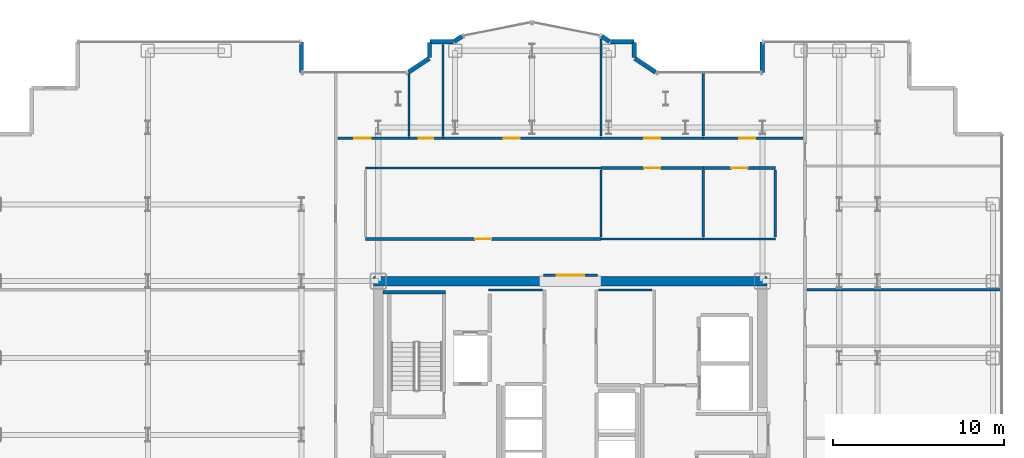
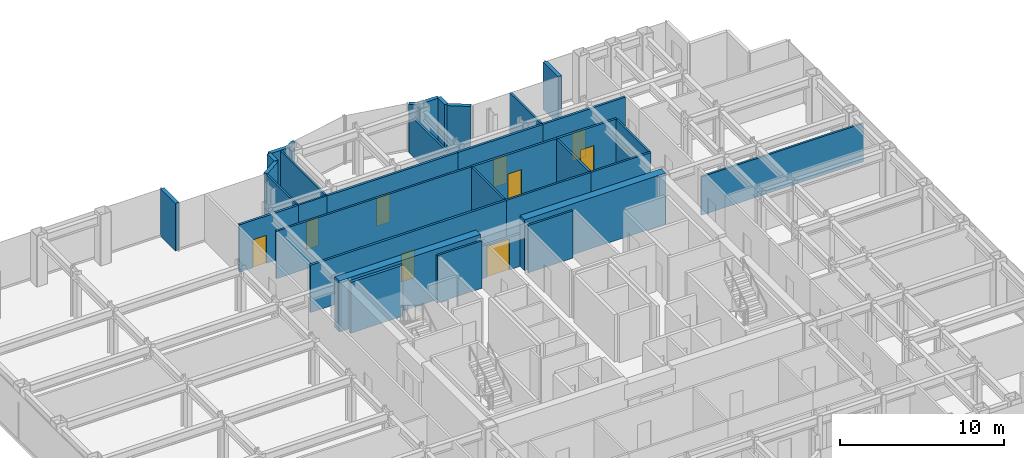
# One storey, part 21 of 23: 35 walls, 9 doors, 9 openings.
"""IFC4 building model written with IfcOpenShell, lengths in metres."""

from ifc_helpers import new_model, si_unit, direction, frame, frame_2d, origin, place, context, subcontext, project, spatial, rectangle, extrude, source, transform, mapped, material, layer, layer_set, type_object, element, fill, save


model = new_model("IFC4")

# Units and contexts
model_context = context("Model", 3, precision=1e-05, world=origin(), true_north=direction((0.0, 1.0)))
body_context = subcontext(model_context, "Body", "Model", "MODEL_VIEW")
ifc_project = project(units=[si_unit("LENGTHUNIT", "METRE"), si_unit("AREAUNIT", "SQUARE_METRE"), si_unit("VOLUMEUNIT", "CUBIC_METRE"), si_unit("PLANEANGLEUNIT", "RADIAN"), si_unit("MASSUNIT", "GRAM", prefix="KILO")], contexts=[model_context])

# Site, building, storey
site_placement = place(None, origin())
site = spatial("IfcSite", under=ifc_project, at=site_placement, CompositionType="ELEMENT")
building_placement = place(site_placement, origin())
building = spatial("IfcBuilding", under=site, at=building_placement, Name="Nefas-Gora Pilgrimage Tower", CompositionType="ELEMENT")
storey_placement = place(building_placement, frame((0.0, 0.0, 175.39990234375)))
storey = spatial("IfcBuildingStorey", under=building, at=storey_placement, Name="L43", CompositionType="ELEMENT", Elevation=175.39990234375)

# Walls
ifc_material_1 = material(Name="Concrete C60/75", Category="concrete")
ifc_layer_1 = layer(ifc_material_1, 0.550048828125)
ifc_layer_set_1 = layer_set([ifc_layer_1], Name="Concrete C60/75")
wall_type_1 = type_object("IfcWallType", Name="SW-CORE-550", PredefinedType="SHEAR", material=ifc_layer_set_1)
shared_shape_1 = source(origin(), body_context, "Body", "SweptSolid", [
    extrude(rectangle(XDim=9.974853515625, YDim=0.550048828125, at=frame_2d((4.9873046875, 0.0))), origin(), (0.0, 0.0, 1.0), 3.800048828125),
])
for number, where, z_axis, x_axis, name in (
    (1, (-11.52490234375, 9.0, 0.0), (0.0, 0.0, 1.0), (1.0, 0.0, 0.0), "L43 Core Shear Wall N-West"),
    (2, (1.550048828125, 9.0, 0.0), (0.0, 0.0, 1.0), (1.0, 0.0, 0.0), "L43 Core Shear Wall N-East"),
):
    element("IfcWall", number, at=place(storey_placement, frame(where, z_axis=z_axis, x_axis=x_axis)), inside=storey, type_object=wall_type_1, Name=name, PredefinedType="SHEAR", context=body_context, shape_type="MappedRepresentation", body=[
        mapped(shared_shape_1, transform((0.0, 0.0, 0.0), x_axis=(1.0, 0.0, 0.0), y_axis=(0.0, 1.0, 0.0), z_axis=(0.0, 0.0, 1.0), scale=1.0)),
    ])
ifc_material_2 = material(Name="Precast concrete C40/50", Category="concrete")
ifc_layer_2 = layer(ifc_material_2, 0.260009765625)
ifc_layer_set_2 = layer_set([ifc_layer_2], Name="Precast concrete C40/50")
wall_type_2 = type_object("IfcWallType", Name="EW-PORTAL-260", PredefinedType="SOLIDWALL", material=ifc_layer_set_2)
shared_shape_2 = source(origin(), body_context, "Body", "SweptSolid", [
    extrude(rectangle(XDim=1.800048828125, YDim=0.260009765625, at=frame_2d((0.89990234375, 0.0))), origin(), (0.0, 0.0, 1.0), 3.550048828125),
])
for number, where, z_axis, x_axis, name in (
    (3, (11.25, 23.02001953125, 0.0), (0.0, 0.0, 1.0), (0.0, -1.0, 0.0), "L43 Lobe Shoulder Precast Spandrel Pier 10"),
    (4, (-15.75, 21.219970703125, 0.0), (0.0, 0.0, 1.0), (0.0, 1.0, 0.0), "L43 Lobe Shoulder Precast Spandrel Pier 19"),
):
    element("IfcWall", number, at=place(storey_placement, frame(where, z_axis=z_axis, x_axis=x_axis)), inside=storey, type_object=wall_type_2, Name=name, PredefinedType="SOLIDWALL", context=body_context, shape_type="MappedRepresentation", body=[
        mapped(shared_shape_2, transform((0.0, 0.0, 0.0), x_axis=(1.0, 0.0, 0.0), y_axis=(0.0, 1.0, 0.0), z_axis=(0.0, 0.0, 1.0), scale=1.0)),
    ])
shared_shape_3 = source(origin(), body_context, "Body", "SweptSolid", [
    extrude(rectangle(XDim=1.468994140625, YDim=0.260009765625, at=frame_2d((0.734375, 0.0))), origin(), (0.0, 0.0, 1.0), 3.550048828125),
])
for number, where, z_axis, x_axis, name in (
    (5, (4.99462890625, 21.235595703125, 0.0), (0.0, 0.0, 1.0), (-0.831461760506, 0.555581983884, 0.0), "L43 Lobe Shoulder Precast Spandrel Pier 11"),
    (6, (-8.273193359375, 22.0517578125, 0.0), (0.0, 0.0, 1.0), (-0.831461760506, -0.555581983884, 0.0), "L43 Lobe Shoulder Precast Spandrel Pier 18"),
):
    element("IfcWall", number, at=place(storey_placement, frame(where, z_axis=z_axis, x_axis=x_axis)), inside=storey, type_object=wall_type_2, Name=name, PredefinedType="SOLIDWALL", context=body_context, shape_type="MappedRepresentation", body=[
        mapped(shared_shape_3, transform((0.0, 0.0, 0.0), x_axis=(1.0, 0.0, 0.0), y_axis=(0.0, 1.0, 0.0), z_axis=(0.0, 0.0, 1.0), scale=1.0)),
    ])
shared_shape_4 = source(origin(), body_context, "Body", "SweptSolid", [
    extrude(rectangle(XDim=0.896728515625, YDim=0.260009765625, at=frame_2d((0.4482421875, 0.0))), origin(), (0.0, 0.0, 1.0), 3.550048828125),
])
for number, where, z_axis, x_axis, name in (
    (7, (3.75, 22.09521484375, 0.0), (0.0, 0.0, 1.0), (0.0, 1.0, 0.0), "L43 Lobe Shoulder Precast Spandrel Pier 12"),
    (8, (-8.25, 22.991943359375, 0.0), (0.0, 0.0, 1.0), (0.0, -1.0, 0.0), "L43 Lobe Shoulder Precast Spandrel Pier 17"),
):
    element("IfcWall", number, at=place(storey_placement, frame(where, z_axis=z_axis, x_axis=x_axis)), inside=storey, type_object=wall_type_2, Name=name, PredefinedType="SOLIDWALL", context=body_context, shape_type="MappedRepresentation", body=[
        mapped(shared_shape_4, transform((0.0, 0.0, 0.0), x_axis=(1.0, 0.0, 0.0), y_axis=(0.0, 1.0, 0.0), z_axis=(0.0, 0.0, 1.0), scale=1.0)),
    ])
shared_shape_5 = source(origin(), body_context, "Body", "SweptSolid", [
    extrude(rectangle(XDim=1.369873046875, YDim=0.260009765625, at=frame_2d((0.68505859375, 0.0))), origin(), (0.0, 0.0, 1.0), 3.550048828125),
])
for number, where, z_axis, x_axis, name in (
    (9, (3.721923828125, 23.02001953125, 0.0), (0.0, 0.0, 1.0), (-1.0, 0.0, 0.0), "L43 Lobe Shoulder Precast Spandrel Pier 13"),
    (10, (-6.85205078125, 23.02001953125, 0.0), (0.0, 0.0, 1.0), (-1.0, 0.0, 0.0), "L43 Lobe Shoulder Precast Spandrel Pier 16"),
):
    element("IfcWall", number, at=place(storey_placement, frame(where, z_axis=z_axis, x_axis=x_axis)), inside=storey, type_object=wall_type_2, Name=name, PredefinedType="SOLIDWALL", context=body_context, shape_type="MappedRepresentation", body=[
        mapped(shared_shape_5, transform((0.0, 0.0, 0.0), x_axis=(1.0, 0.0, 0.0), y_axis=(0.0, 1.0, 0.0), z_axis=(0.0, 0.0, 1.0), scale=1.0)),
    ])
shared_shape_6 = source(origin(), body_context, "Body", "SweptSolid", [
    extrude(rectangle(XDim=0.5654296875, YDim=0.260009765625, at=frame_2d((0.28271484375, 0.0))), origin(), (0.0, 0.0, 1.0), 3.550048828125),
])
for number, where, z_axis, x_axis, name in (
    (11, (2.30078125, 23.03564453125, 0.0), (0.0, 0.0, 1.0), (-0.831651492666, 0.555297933317, 0.0), "L43 Lobe Shoulder Precast Spandrel Pier 14"),
    (12, (-6.33056640625, 23.349609375, 0.0), (0.0, 0.0, 1.0), (-0.831651492666, -0.555297933317, 0.0), "L43 Lobe Shoulder Precast Spandrel Pier 15"),
):
    element("IfcWall", number, at=place(storey_placement, frame(where, z_axis=z_axis, x_axis=x_axis)), inside=storey, type_object=wall_type_2, Name=name, PredefinedType="SOLIDWALL", context=body_context, shape_type="MappedRepresentation", body=[
        mapped(shared_shape_6, transform((0.0, 0.0, 0.0), x_axis=(1.0, 0.0, 0.0), y_axis=(0.0, 1.0, 0.0), z_axis=(0.0, 0.0, 1.0), scale=1.0)),
    ])
ifc_material_3 = material(Name="Concrete C45/55", Category="concrete")
ifc_layer_3 = layer(ifc_material_3, 0.199951171875)
ifc_layer_set_3 = layer_set([ifc_layer_3], Name="Concrete C45/55")
wall_type_3 = type_object("IfcWallType", Name="IW-STAIR-200", PredefinedType="SOLIDWALL", material=ifc_layer_set_3)
shared_shape_7 = source(origin(), body_context, "Body", "SweptSolid", [
    extrude(rectangle(XDim=3.679931640625, YDim=0.199951171875, at=frame_2d((1.83984375, 0.0))), origin(), (0.0, 0.0, 1.0), 3.800048828125),
])
wall_1_placement = place(storey_placement, frame((-7.300048828125, 8.35009765625, 0.0), z_axis=(0.0, 0.0, 1.0), x_axis=(-1.0, 0.0, 0.0)))
element("IfcWall", 13, at=wall_1_placement, inside=storey, type_object=wall_type_3, Name="L43 Stairwell Shear Wall ST-01-far", PredefinedType="SOLIDWALL", context=body_context, shape_type="MappedRepresentation", body=[
    mapped(shared_shape_7, transform((0.0, 0.0, 0.0), x_axis=(1.0, 0.0, 0.0), y_axis=(0.0, 1.0, 0.0), z_axis=(0.0, 0.0, 1.0), scale=1.0)),
])
ifc_material_4 = material(Name="Gypsum twin-stud partition")
ifc_layer_4 = layer(ifc_material_4, 0.139892578125)
ifc_layer_set_4 = layer_set([ifc_layer_4], Name="Gypsum twin-stud partition")
wall_type_4 = type_object("IfcWallType", Name="IW-UNIT-140", PredefinedType="PARTITIONING", material=ifc_layer_set_4)
shared_shape_8 = source(origin(), body_context, "Body", "SweptSolid", [
    extrude(rectangle(XDim=3.150146484375, YDim=0.139892578125, at=frame_2d((1.5751953125, 0.0))), origin(), (0.0, 0.0, 1.0), 3.53515625),
])
for number, where, z_axis, x_axis, name in (
    (14, (-4.7900390625, 8.47998046875, 0.0), (0.0, 0.0, 1.0), (1.0, 0.0, 0.0), "L43 Housekeeping and Linen Store Partition Wall 19"),
    (15, (1.639892578125, 8.47998046875, 0.0), (0.0, 0.0, 1.0), (1.0, 0.0, 0.0), "L43 Freed Bank-1 Amenity Supply Store Partition Wall 24"),
):
    element("IfcWall", number, at=place(storey_placement, frame(where, z_axis=z_axis, x_axis=x_axis)), inside=storey, type_object=wall_type_4, Name=name, PredefinedType="PARTITIONING", context=body_context, shape_type="MappedRepresentation", body=[
        mapped(shared_shape_8, transform((0.0, 0.0, 0.0), x_axis=(1.0, 0.0, 0.0), y_axis=(0.0, 1.0, 0.0), z_axis=(0.0, 0.0, 1.0), scale=1.0)),
    ])

# Wall, opening, door
ifc_material_5 = material(Name="Moisture-resistant fire-rated gypsum partition")
ifc_layer_5 = layer(ifc_material_5, 0.1201171875)
ifc_layer_set_5 = layer_set([ifc_layer_5], Name="Moisture-resistant fire-rated gypsum partition")
wall_type_5 = type_object("IfcWallType", Name="IW-WET-120", PredefinedType="PLUMBINGWALL", material=ifc_layer_set_5)
shared_shape_9 = source(origin(), body_context, "Body", "SweptSolid", [
    extrude(rectangle(XDim=2.02001953125, YDim=0.1201171875, at=frame_2d((1.010009765625, 0.0))), origin(), (0.0, 0.0, 1.0), 3.53515625),
])
wall_2_placement = place(storey_placement, frame((-9.4599609375, 17.3701171875, 0.0), z_axis=(0.0, 0.0, 1.0), x_axis=(1.0, 0.0, 0.0)))
wall_2 = element("IfcWall", 16, at=wall_2_placement, inside=storey, type_object=wall_type_5, Name="L43 Accessible Unisex WC Partition Wall 25", PredefinedType="PLUMBINGWALL", context=body_context, shape_type="MappedRepresentation", body=[
    mapped(shared_shape_9, transform((0.0, 0.0, 0.0), x_axis=(1.0, 0.0, 0.0), y_axis=(0.0, 1.0, 0.0), z_axis=(0.0, 0.0, 1.0), scale=1.0)),
])
opening_1_placement = place(wall_2_placement, frame((0.5849609375, 0.0, 0.0)))
opening_1 = element("IfcOpeningElement", 17, at=opening_1_placement, cuts=wall_2, Name="Opening ID-BT1", PredefinedType="OPENING", context=body_context, shape_type="SweptSolid", body=[
    extrude(rectangle(XDim=0.85009765625, YDim=2.10009765625, at=frame_2d((0.425048828125, 1.050048828125))), frame((0.0, 0.070068359375, 0.0), z_axis=(0.0, -1.0, 0.0), x_axis=(1.0, 0.0, 0.0)), (0.0, 0.0, 1.0), 0.14013671875),
])
ifc_material_6 = material(Name="Moisture-resistant fire-rated timber door", Category="wood")
door_type_1 = type_object("IfcDoorType", Name="DR-INT-BATH-850", OperationType="NOTDEFINED", PredefinedType="DOOR", material=ifc_material_6)
shared_shape_10 = source(origin(), body_context, "Body", "SweptSolid", [
    extrude(rectangle(XDim=0.85009765625, YDim=2.10009765625, at=frame_2d((0.425048828125, 1.050048828125))), frame((0.0, 0.02490234375, 0.0), z_axis=(0.0, -1.0, 0.0), x_axis=(1.0, 0.0, 0.0)), (0.0, 0.0, 1.0), 0.050048828125),
])
door_1_placement = place(opening_1_placement, origin())
door_1 = element("IfcDoor", 18, at=door_1_placement, inside=storey, type_object=door_type_1, Name="L43 Accessible Unisex WC Door 10", OperationType="SINGLE_SWING_LEFT", OverallHeight=2.10009765625, OverallWidth=0.85009765625, PredefinedType="DOOR", context=body_context, shape_type="MappedRepresentation", body=[
    mapped(shared_shape_10, transform((0.0, 0.0, 0.0), x_axis=(1.0, 0.0, 0.0), y_axis=(0.0, 1.0, 0.0), z_axis=(0.0, 0.0, 1.0), scale=1.0)),
])
fill(opening_1, door_1)

ifc_material_7 = material(Name="Gypsum acoustic stud partition")
ifc_layer_6 = layer(ifc_material_7, 0.159912109375)
ifc_layer_set_6 = layer_set([ifc_layer_6], Name="Gypsum acoustic stud partition")
wall_type_6 = type_object("IfcWallType", Name="IW-CORR-160", PredefinedType="PARTITIONING", material=ifc_layer_set_6)
shared_shape_11 = source(origin(), body_context, "Body", "SweptSolid", [
    extrude(rectangle(XDim=6.010009765625, YDim=0.159912109375, at=frame_2d((3.0048828125, 0.0))), origin(), (0.0, 0.0, 1.0), 3.53515625),
])
wall_3_placement = place(storey_placement, frame((1.794921875, 17.3701171875, 0.0), z_axis=(0.0, 0.0, 1.0), x_axis=(1.0, 0.0, 0.0)))
wall_3 = element("IfcWall", 19, at=wall_3_placement, inside=storey, type_object=wall_type_6, Name="L43 Pilgrim Contemplative Lounge Partition Wall 55", PredefinedType="PARTITIONING", context=body_context, shape_type="MappedRepresentation", body=[
    mapped(shared_shape_11, transform((0.0, 0.0, 0.0), x_axis=(1.0, 0.0, 0.0), y_axis=(0.0, 1.0, 0.0), z_axis=(0.0, 0.0, 1.0), scale=1.0)),
])
opening_2_placement = place(wall_3_placement, frame((2.530029296875, 0.0, 0.0)))
opening_2 = element("IfcOpeningElement", 20, at=opening_2_placement, cuts=wall_3, Name="Opening ID-GR1", PredefinedType="OPENING", context=body_context, shape_type="SweptSolid", body=[
    extrude(rectangle(XDim=0.949951171875, YDim=2.10009765625, at=frame_2d((0.47509765625, 1.050048828125))), frame((0.0, 0.08984375, 0.0), z_axis=(0.0, -1.0, 0.0), x_axis=(1.0, 0.0, 0.0)), (0.0, 0.0, 1.0), 0.179931640625),
])
ifc_material_8 = material(Name="Solid core oak fire-rated guest entrance door")
door_type_2 = type_object("IfcDoorType", Name="DR-INT-GUEST-950", OperationType="NOTDEFINED", PredefinedType="DOOR", material=ifc_material_8)
shared_shape_12 = source(origin(), body_context, "Body", "SweptSolid", [
    extrude(rectangle(XDim=0.949951171875, YDim=2.10009765625, at=frame_2d((0.47509765625, 1.050048828125))), frame((0.0, 0.02490234375, 0.0), z_axis=(0.0, -1.0, 0.0), x_axis=(1.0, 0.0, 0.0)), (0.0, 0.0, 1.0), 0.050048828125),
])
door_2_placement = place(opening_2_placement, origin())
door_2 = element("IfcDoor", 21, at=door_2_placement, inside=storey, type_object=door_type_2, Name="L43 Pilgrim Contemplative Lounge Door 25", OperationType="SINGLE_SWING_RIGHT", OverallHeight=2.10009765625, OverallWidth=0.949951171875, PredefinedType="DOOR", context=body_context, shape_type="MappedRepresentation", body=[
    mapped(shared_shape_12, transform((0.0, 0.0, 0.0), x_axis=(1.0, 0.0, 0.0), y_axis=(0.0, 1.0, 0.0), z_axis=(0.0, 0.0, 1.0), scale=1.0)),
])
fill(opening_2, door_2)

wall_4_placement = place(storey_placement, frame((1.794921875, 15.6298828125, 0.0), z_axis=(0.0, 0.0, 1.0), x_axis=(1.0, 0.0, 0.0)))
wall_4 = element("IfcWall", 22, at=wall_4_placement, inside=storey, type_object=wall_type_6, Name="L43 Pilgrim Contemplative Lounge Partition Wall 57", PredefinedType="PARTITIONING", context=body_context, shape_type="MappedRepresentation", body=[
    mapped(shared_shape_11, transform((0.0, 0.0, 0.0), x_axis=(1.0, 0.0, 0.0), y_axis=(0.0, 1.0, 0.0), z_axis=(0.0, 0.0, 1.0), scale=1.0)),
])
opening_3_placement = place(wall_4_placement, frame((2.530029296875, 0.0, 0.0)))
opening_3 = element("IfcOpeningElement", 23, at=opening_3_placement, cuts=wall_4, Name="Opening ID-GR1", PredefinedType="OPENING", context=body_context, shape_type="SweptSolid", body=[
    extrude(rectangle(XDim=0.949951171875, YDim=2.10009765625, at=frame_2d((0.47509765625, 1.050048828125))), frame((0.0, 0.08984375, 0.0), z_axis=(0.0, -1.0, 0.0), x_axis=(1.0, 0.0, 0.0)), (0.0, 0.0, 1.0), 0.179931640625),
])
door_3_placement = place(opening_3_placement, origin())
door_3 = element("IfcDoor", 24, at=door_3_placement, inside=storey, type_object=door_type_2, Name="L43 Pilgrim Contemplative Lounge Door 26", OperationType="SINGLE_SWING_LEFT", OverallHeight=2.10009765625, OverallWidth=0.949951171875, PredefinedType="DOOR", context=body_context, shape_type="MappedRepresentation", body=[
    mapped(shared_shape_12, transform((0.0, 0.0, 0.0), x_axis=(1.0, 0.0, 0.0), y_axis=(0.0, 1.0, 0.0), z_axis=(0.0, 0.0, 1.0), scale=1.0)),
])
fill(opening_3, door_3)

shared_shape_13 = source(origin(), body_context, "Body", "SweptSolid", [
    extrude(rectangle(XDim=5.8251953125, YDim=0.159912109375, at=frame_2d((2.91259765625, 0.0))), origin(), (0.0, 0.0, 1.0), 3.53515625),
])
wall_5_placement = place(storey_placement, frame((7.794921875, 17.3701171875, 0.0), z_axis=(0.0, 0.0, 1.0), x_axis=(1.0, 0.0, 0.0)))
wall_5 = element("IfcWall", 25, at=wall_5_placement, inside=storey, type_object=wall_type_6, Name="L43 Pilgrim Contemplative Lounge Partition Wall 60", PredefinedType="PARTITIONING", context=body_context, shape_type="MappedRepresentation", body=[
    mapped(shared_shape_13, transform((0.0, 0.0, 0.0), x_axis=(1.0, 0.0, 0.0), y_axis=(0.0, 1.0, 0.0), z_axis=(0.0, 0.0, 1.0), scale=1.0)),
])
opening_4_placement = place(wall_5_placement, frame((2.09228515625, 0.0, 0.0)))
opening_4 = element("IfcOpeningElement", 26, at=opening_4_placement, cuts=wall_5, Name="Opening ID-GR1", PredefinedType="OPENING", context=body_context, shape_type="SweptSolid", body=[
    extrude(rectangle(XDim=0.949951171875, YDim=2.10009765625, at=frame_2d((0.47509765625, 1.050048828125))), frame((0.0, 0.08984375, 0.0), z_axis=(0.0, -1.0, 0.0), x_axis=(1.0, 0.0, 0.0)), (0.0, 0.0, 1.0), 0.179931640625),
])
door_4_placement = place(opening_4_placement, origin())
door_4 = element("IfcDoor", 27, at=door_4_placement, inside=storey, type_object=door_type_2, Name="L43 Pilgrim Contemplative Lounge Door 27", OperationType="SINGLE_SWING_RIGHT", OverallHeight=2.10009765625, OverallWidth=0.949951171875, PredefinedType="DOOR", context=body_context, shape_type="MappedRepresentation", body=[
    mapped(shared_shape_12, transform((0.0, 0.0, 0.0), x_axis=(1.0, 0.0, 0.0), y_axis=(0.0, 1.0, 0.0), z_axis=(0.0, 0.0, 1.0), scale=1.0)),
])
fill(opening_4, door_4)

shared_shape_14 = source(origin(), body_context, "Body", "SweptSolid", [
    extrude(rectangle(XDim=3.16015625, YDim=0.159912109375, at=frame_2d((1.580078125, 0.0))), origin(), (0.0, 0.0, 1.0), 2.425048828125),
])
wall_6_placement = place(storey_placement, frame((-1.580078125, 9.35009765625, 0.0), z_axis=(0.0, 0.0, 1.0), x_axis=(1.0, 0.0, 0.0)))
wall_6 = element("IfcWall", 28, at=wall_6_placement, inside=storey, type_object=wall_type_6, Name="L43 Central Lift Lobby North Portal Wall 15", PredefinedType="PARTITIONING", context=body_context, shape_type="MappedRepresentation", body=[
    mapped(shared_shape_14, transform((0.0, 0.0, 0.0), x_axis=(1.0, 0.0, 0.0), y_axis=(0.0, 1.0, 0.0), z_axis=(0.0, 0.0, 1.0), scale=1.0)),
])
opening_5_placement = place(wall_6_placement, frame((0.780029296875, 0.0, 0.0)))
opening_5 = element("IfcOpeningElement", 29, at=opening_5_placement, cuts=wall_6, Name="Opening ID-HL1", PredefinedType="OPENING", context=body_context, shape_type="SweptSolid", body=[
    extrude(rectangle(XDim=1.60009765625, YDim=2.300048828125, at=frame_2d((0.800048828125, 1.14990234375))), frame((0.0, 0.08984375, 0.0), z_axis=(0.0, -1.0, 0.0), x_axis=(1.0, 0.0, 0.0)), (0.0, 0.0, 1.0), 0.179931640625),
])
ifc_material_9 = material(Name="Double acoustic timber assembly hall door", Category="wood")
door_type_3 = type_object("IfcDoorType", Name="DR-INT-HALL-1600", OperationType="DOUBLE_DOOR_SINGLE_SWING", PredefinedType="DOOR", material=ifc_material_9)
shared_shape_15 = source(origin(), body_context, "Body", "SweptSolid", [
    extrude(rectangle(XDim=1.60009765625, YDim=2.300048828125, at=frame_2d((0.800048828125, 1.14990234375))), frame((0.0, 0.02490234375, 0.0), z_axis=(0.0, -1.0, 0.0), x_axis=(1.0, 0.0, 0.0)), (0.0, 0.0, 1.0), 0.050048828125),
])
door_5_placement = place(opening_5_placement, origin())
door_5 = element("IfcDoor", 30, at=door_5_placement, inside=storey, type_object=door_type_3, Name="L43 Central Lift Lobby North Portal Door 5", OperationType="DOUBLE_DOOR_SINGLE_SWING", OverallHeight=2.300048828125, OverallWidth=1.60009765625, PredefinedType="DOOR", context=body_context, shape_type="MappedRepresentation", body=[
    mapped(shared_shape_15, transform((0.0, 0.0, 0.0), x_axis=(1.0, 0.0, 0.0), y_axis=(0.0, 1.0, 0.0), z_axis=(0.0, 0.0, 1.0), scale=1.0)),
])
fill(opening_5, door_5)

# Walls
shared_shape_16 = source(origin(), body_context, "Body", "SweptSolid", [
    extrude(rectangle(XDim=11.429931640625, YDim=0.139892578125, at=frame_2d((5.71484375, 0.0))), origin(), (0.0, 0.0, 1.0), 2.875),
])
wall_7_placement = place(storey_placement, frame((13.860107421875, 8.4951171875, 0.0), z_axis=(0.0, 0.0, 1.0), x_axis=(1.0, 0.0, 0.0)))
element("IfcWall", 31, at=wall_7_placement, inside=storey, type_object=wall_type_4, Name="L43 Scripture Reading Study Partition Wall 44", PredefinedType="PARTITIONING", context=body_context, shape_type="MappedRepresentation", body=[
    mapped(shared_shape_16, transform((0.0, 0.0, 0.0), x_axis=(1.0, 0.0, 0.0), y_axis=(0.0, 1.0, 0.0), z_axis=(0.0, 0.0, 1.0), scale=1.0)),
])
shared_shape_17 = source(origin(), body_context, "Body", "SweptSolid", [
    extrude(rectangle(XDim=5.380126953125, YDim=0.1201171875, at=frame_2d((2.68994140625, 0.0))), origin(), (0.0, 0.0, 1.0), 3.53515625),
])
wall_8_placement = place(storey_placement, frame((-7.449951171875, 17.469970703125, 0.0), z_axis=(0.0, 0.0, 1.0), x_axis=(0.0, 1.0, 0.0)))
element("IfcWall", 32, at=wall_8_placement, inside=storey, type_object=wall_type_5, Name="L43 Accessible Unisex WC Partition Wall 26", PredefinedType="PLUMBINGWALL", context=body_context, shape_type="MappedRepresentation", body=[
    mapped(shared_shape_17, transform((0.0, 0.0, 0.0), x_axis=(1.0, 0.0, 0.0), y_axis=(0.0, 1.0, 0.0), z_axis=(0.0, 0.0, 1.0), scale=1.0)),
])
shared_shape_18 = source(origin(), body_context, "Body", "SweptSolid", [
    extrude(rectangle(XDim=3.686767578125, YDim=0.1201171875, at=frame_2d((1.84326171875, 0.0))), origin(), (0.0, 0.0, 1.0), 3.53515625),
])
wall_9_placement = place(storey_placement, frame((-9.449951171875, 17.469970703125, 0.0), z_axis=(0.0, 0.0, 1.0), x_axis=(0.0, 1.0, 0.0)))
element("IfcWall", 33, at=wall_9_placement, inside=storey, type_object=wall_type_5, Name="L43 Accessible Unisex WC Partition Wall 27", PredefinedType="PLUMBINGWALL", context=body_context, shape_type="MappedRepresentation", body=[
    mapped(shared_shape_18, transform((0.0, 0.0, 0.0), x_axis=(1.0, 0.0, 0.0), y_axis=(0.0, 1.0, 0.0), z_axis=(0.0, 0.0, 1.0), scale=1.0)),
])
shared_shape_19 = source(origin(), body_context, "Body", "SweptSolid", [
    extrude(rectangle(XDim=3.929931640625, YDim=0.139892578125, at=frame_2d((1.96484375, 0.0))), origin(), (0.0, 0.0, 1.0), 3.53515625),
])
for number, where, z_axis, x_axis, name in (
    (34, (1.794921875, 11.590087890625, 0.0), (0.0, 0.0, 1.0), (0.0, 1.0, 0.0), "L43 Pilgrim Contemplative Lounge Partition Wall 51"),
    (35, (7.794921875, 11.580078125, 0.0), (0.0, 0.0, 1.0), (0.0, 1.0, 0.0), "L43 Pilgrim Contemplative Lounge Partition Wall 59"),
    (36, (12.0, 11.580078125, 0.0), (0.0, 0.0, 1.0), (0.0, 1.0, 0.0), "L43 Pilgrim Contemplative Lounge Partition Wall 63"),
):
    element("IfcWall", number, at=place(storey_placement, frame(where, z_axis=z_axis, x_axis=x_axis)), inside=storey, type_object=wall_type_4, Name=name, PredefinedType="PARTITIONING", context=body_context, shape_type="MappedRepresentation", body=[
        mapped(shared_shape_19, transform((0.0, 0.0, 0.0), x_axis=(1.0, 0.0, 0.0), y_axis=(0.0, 1.0, 0.0), z_axis=(0.0, 0.0, 1.0), scale=1.0)),
    ])

# Wall, opening, door
shared_shape_20 = source(origin(), body_context, "Body", "SweptSolid", [
    extrude(rectangle(XDim=4.16015625, YDim=0.159912109375, at=frame_2d((2.080078125, 0.0))), origin(), (0.0, 0.0, 1.0), 3.53515625),
])
wall_10_placement = place(storey_placement, frame((-13.6201171875, 17.3701171875, 0.0), z_axis=(0.0, 0.0, 1.0), x_axis=(1.0, 0.0, 0.0)))
wall_10 = element("IfcWall", 37, at=wall_10_placement, inside=storey, type_object=wall_type_6, Name="L43 Pilgrim Contemplative Lounge Partition Wall 54", PredefinedType="PARTITIONING", context=body_context, shape_type="MappedRepresentation", body=[
    mapped(shared_shape_20, transform((0.0, 0.0, 0.0), x_axis=(1.0, 0.0, 0.0), y_axis=(0.0, 1.0, 0.0), z_axis=(0.0, 0.0, 1.0), scale=1.0)),
])
opening_6_placement = place(wall_10_placement, frame((0.968994140625, 0.0, 0.0)))
opening_6 = element("IfcOpeningElement", 38, at=opening_6_placement, cuts=wall_10, Name="Opening ID-GR1", PredefinedType="OPENING", context=body_context, shape_type="SweptSolid", body=[
    extrude(rectangle(XDim=0.949951171875, YDim=2.10009765625, at=frame_2d((0.47509765625, 1.050048828125))), frame((0.0, 0.08984375, 0.0), z_axis=(0.0, -1.0, 0.0), x_axis=(1.0, 0.0, 0.0)), (0.0, 0.0, 1.0), 0.179931640625),
])
door_6_placement = place(opening_6_placement, origin())
door_6 = element("IfcDoor", 39, at=door_6_placement, inside=storey, type_object=door_type_2, Name="L43 Pilgrim Contemplative Lounge Door 24", OperationType="SINGLE_SWING_LEFT", OverallHeight=2.10009765625, OverallWidth=0.949951171875, PredefinedType="DOOR", context=body_context, shape_type="MappedRepresentation", body=[
    mapped(shared_shape_12, transform((0.0, 0.0, 0.0), x_axis=(1.0, 0.0, 0.0), y_axis=(0.0, 1.0, 0.0), z_axis=(0.0, 0.0, 1.0), scale=1.0)),
])
fill(opening_6, door_6)

# Walls
shared_shape_21 = source(origin(), body_context, "Body", "SweptSolid", [
    extrude(rectangle(XDim=3.75, YDim=0.139892578125, at=frame_2d((1.875, 0.0))), origin(), (0.0, 0.0, 1.0), 3.53515625),
])
wall_11_placement = place(storey_placement, frame((7.794921875, 17.489990234375, 0.0), z_axis=(0.0, 0.0, 1.0), x_axis=(0.0, 1.0, 0.0)))
element("IfcWall", 40, at=wall_11_placement, inside=storey, type_object=wall_type_4, Name="L43 Pilgrim Contemplative Lounge Partition Wall 56", PredefinedType="PARTITIONING", context=body_context, shape_type="MappedRepresentation", body=[
    mapped(shared_shape_21, transform((0.0, 0.0, 0.0), x_axis=(1.0, 0.0, 0.0), y_axis=(0.0, 1.0, 0.0), z_axis=(0.0, 0.0, 1.0), scale=1.0)),
])
shared_shape_22 = source(origin(), body_context, "Body", "SweptSolid", [
    extrude(rectangle(XDim=5.681396484375, YDim=0.139892578125, at=frame_2d((2.8408203125, 0.0))), origin(), (0.0, 0.0, 1.0), 2.875),
])
wall_12_placement = place(storey_placement, frame((1.794921875, 17.489990234375, 0.0), z_axis=(0.0, 0.0, 1.0), x_axis=(0.0, 1.0, 0.0)))
element("IfcWall", 41, at=wall_12_placement, inside=storey, type_object=wall_type_4, Name="L43 Pilgrim Contemplative Lounge Partition Wall 53", PredefinedType="PARTITIONING", context=body_context, shape_type="MappedRepresentation", body=[
    mapped(shared_shape_22, transform((0.0, 0.0, 0.0), x_axis=(1.0, 0.0, 0.0), y_axis=(0.0, 1.0, 0.0), z_axis=(0.0, 0.0, 1.0), scale=1.0)),
])

# Wall, opening, door
shared_shape_23 = source(origin(), body_context, "Body", "SweptSolid", [
    extrude(rectangle(XDim=13.81494140625, YDim=0.159912109375, at=frame_2d((6.907470703125, 0.0))), origin(), (0.0, 0.0, 1.0), 3.53515625),
])
wall_13_placement = place(storey_placement, frame((-12.010009765625, 11.469970703125, 0.0), z_axis=(0.0, 0.0, 1.0), x_axis=(1.0, 0.0, 0.0)))
wall_13 = element("IfcWall", 42, at=wall_13_placement, inside=storey, type_object=wall_type_6, Name="L43 Pilgrim Contemplative Lounge Partition Wall 48", PredefinedType="PARTITIONING", context=body_context, shape_type="MappedRepresentation", body=[
    mapped(shared_shape_23, transform((0.0, 0.0, 0.0), x_axis=(1.0, 0.0, 0.0), y_axis=(0.0, 1.0, 0.0), z_axis=(0.0, 0.0, 1.0), scale=1.0)),
])
opening_7_placement = place(wall_13_placement, frame((6.4326171875, 0.0, 0.0)))
opening_7 = element("IfcOpeningElement", 43, at=opening_7_placement, cuts=wall_13, Name="Opening ID-GR1", PredefinedType="OPENING", context=body_context, shape_type="SweptSolid", body=[
    extrude(rectangle(XDim=0.949951171875, YDim=2.10009765625, at=frame_2d((0.47509765625, 1.050048828125))), frame((0.0, 0.08984375, 0.0), z_axis=(0.0, -1.0, 0.0), x_axis=(1.0, 0.0, 0.0)), (0.0, 0.0, 1.0), 0.179931640625),
])
door_7_placement = place(opening_7_placement, origin())
door_7 = element("IfcDoor", 44, at=door_7_placement, inside=storey, type_object=door_type_2, Name="L43 Pilgrim Contemplative Lounge Door 22", OperationType="SINGLE_SWING_LEFT", OverallHeight=2.10009765625, OverallWidth=0.949951171875, PredefinedType="DOOR", context=body_context, shape_type="MappedRepresentation", body=[
    mapped(shared_shape_12, transform((0.0, 0.0, 0.0), x_axis=(1.0, 0.0, 0.0), y_axis=(0.0, 1.0, 0.0), z_axis=(0.0, 0.0, 1.0), scale=1.0)),
])
fill(opening_7, door_7)

# Wall
shared_shape_24 = source(origin(), body_context, "Body", "SweptSolid", [
    extrude(rectangle(XDim=13.81494140625, YDim=0.139892578125, at=frame_2d((6.907470703125, 0.0))), origin(), (0.0, 0.0, 1.0), 3.53515625),
])
wall_14_placement = place(storey_placement, frame((-12.010009765625, 15.6298828125, 0.0), z_axis=(0.0, 0.0, 1.0), x_axis=(1.0, 0.0, 0.0)))
element("IfcWall", 45, at=wall_14_placement, inside=storey, type_object=wall_type_4, Name="L43 Pilgrim Contemplative Lounge Partition Wall 49", PredefinedType="PARTITIONING", context=body_context, shape_type="MappedRepresentation", body=[
    mapped(shared_shape_24, transform((0.0, 0.0, 0.0), x_axis=(1.0, 0.0, 0.0), y_axis=(0.0, 1.0, 0.0), z_axis=(0.0, 0.0, 1.0), scale=1.0)),
])

# Wall, opening, door
shared_shape_25 = source(origin(), body_context, "Body", "SweptSolid", [
    extrude(rectangle(XDim=9.244873046875, YDim=0.159912109375, at=frame_2d((4.62255859375, 0.0))), origin(), (0.0, 0.0, 1.0), 3.53515625),
])
wall_15_placement = place(storey_placement, frame((-7.43994140625, 17.3701171875, 0.0), z_axis=(0.0, 0.0, 1.0), x_axis=(1.0, 0.0, 0.0)))
wall_15 = element("IfcWall", 46, at=wall_15_placement, inside=storey, type_object=wall_type_6, Name="L43 Pilgrim Contemplative Lounge Partition Wall 52", PredefinedType="PARTITIONING", context=body_context, shape_type="MappedRepresentation", body=[
    mapped(shared_shape_25, transform((0.0, 0.0, 0.0), x_axis=(1.0, 0.0, 0.0), y_axis=(0.0, 1.0, 0.0), z_axis=(0.0, 0.0, 1.0), scale=1.0)),
])
opening_8_placement = place(wall_15_placement, frame((3.52880859375, 0.0, 0.0)))
opening_8 = element("IfcOpeningElement", 47, at=opening_8_placement, cuts=wall_15, Name="Opening ID-GR1", PredefinedType="OPENING", context=body_context, shape_type="SweptSolid", body=[
    extrude(rectangle(XDim=0.949951171875, YDim=2.10009765625, at=frame_2d((0.47509765625, 1.050048828125))), frame((0.0, 0.08984375, 0.0), z_axis=(0.0, -1.0, 0.0), x_axis=(1.0, 0.0, 0.0)), (0.0, 0.0, 1.0), 0.179931640625),
])
door_8_placement = place(opening_8_placement, origin())
door_8 = element("IfcDoor", 48, at=door_8_placement, inside=storey, type_object=door_type_2, Name="L43 Pilgrim Contemplative Lounge Door 23", OperationType="SINGLE_SWING_RIGHT", OverallHeight=2.10009765625, OverallWidth=0.949951171875, PredefinedType="DOOR", context=body_context, shape_type="MappedRepresentation", body=[
    mapped(shared_shape_12, transform((0.0, 0.0, 0.0), x_axis=(1.0, 0.0, 0.0), y_axis=(0.0, 1.0, 0.0), z_axis=(0.0, 0.0, 1.0), scale=1.0)),
])
fill(opening_8, door_8)

# Wall
shared_shape_26 = source(origin(), body_context, "Body", "SweptSolid", [
    extrude(rectangle(XDim=6.010009765625, YDim=0.139892578125, at=frame_2d((3.0048828125, 0.0))), origin(), (0.0, 0.0, 1.0), 3.53515625),
])
wall_16_placement = place(storey_placement, frame((1.794921875, 11.469970703125, 0.0), z_axis=(0.0, 0.0, 1.0), x_axis=(1.0, 0.0, 0.0)))
element("IfcWall", 49, at=wall_16_placement, inside=storey, type_object=wall_type_4, Name="L43 Pilgrim Contemplative Lounge Partition Wall 58", PredefinedType="PARTITIONING", context=body_context, shape_type="MappedRepresentation", body=[
    mapped(shared_shape_26, transform((0.0, 0.0, 0.0), x_axis=(1.0, 0.0, 0.0), y_axis=(0.0, 1.0, 0.0), z_axis=(0.0, 0.0, 1.0), scale=1.0)),
])

# Wall, opening, door
shared_shape_27 = source(origin(), body_context, "Body", "SweptSolid", [
    extrude(rectangle(XDim=4.215087890625, YDim=0.159912109375, at=frame_2d((2.107421875, 0.0))), origin(), (0.0, 0.0, 1.0), 3.53515625),
])
wall_17_placement = place(storey_placement, frame((7.794921875, 15.6298828125, 0.0), z_axis=(0.0, 0.0, 1.0), x_axis=(1.0, 0.0, 0.0)))
wall_17 = element("IfcWall", 50, at=wall_17_placement, inside=storey, type_object=wall_type_6, Name="L43 Pilgrim Contemplative Lounge Partition Wall 61", PredefinedType="PARTITIONING", context=body_context, shape_type="MappedRepresentation", body=[
    mapped(shared_shape_27, transform((0.0, 0.0, 0.0), x_axis=(1.0, 0.0, 0.0), y_axis=(0.0, 1.0, 0.0), z_axis=(0.0, 0.0, 1.0), scale=1.0)),
])
opening_9_placement = place(wall_17_placement, frame((1.632568359375, 0.0, 0.0)))
opening_9 = element("IfcOpeningElement", 51, at=opening_9_placement, cuts=wall_17, Name="Opening ID-GR1", PredefinedType="OPENING", context=body_context, shape_type="SweptSolid", body=[
    extrude(rectangle(XDim=0.949951171875, YDim=2.10009765625, at=frame_2d((0.47509765625, 1.050048828125))), frame((0.0, 0.08984375, 0.0), z_axis=(0.0, -1.0, 0.0), x_axis=(1.0, 0.0, 0.0)), (0.0, 0.0, 1.0), 0.179931640625),
])
door_9_placement = place(opening_9_placement, origin())
door_9 = element("IfcDoor", 52, at=door_9_placement, inside=storey, type_object=door_type_2, Name="L43 Pilgrim Contemplative Lounge Door 28", OperationType="SINGLE_SWING_LEFT", OverallHeight=2.10009765625, OverallWidth=0.949951171875, PredefinedType="DOOR", context=body_context, shape_type="MappedRepresentation", body=[
    mapped(shared_shape_12, transform((0.0, 0.0, 0.0), x_axis=(1.0, 0.0, 0.0), y_axis=(0.0, 1.0, 0.0), z_axis=(0.0, 0.0, 1.0), scale=1.0)),
])
fill(opening_9, door_9)

# Wall
shared_shape_28 = source(origin(), body_context, "Body", "SweptSolid", [
    extrude(rectangle(XDim=4.215087890625, YDim=0.139892578125, at=frame_2d((2.107421875, 0.0))), origin(), (0.0, 0.0, 1.0), 3.53515625),
])
wall_18_placement = place(storey_placement, frame((7.794921875, 11.469970703125, 0.0), z_axis=(0.0, 0.0, 1.0), x_axis=(1.0, 0.0, 0.0)))
element("IfcWall", 53, at=wall_18_placement, inside=storey, type_object=wall_type_4, Name="L43 Pilgrim Contemplative Lounge Partition Wall 62", PredefinedType="PARTITIONING", context=body_context, shape_type="MappedRepresentation", body=[
    mapped(shared_shape_28, transform((0.0, 0.0, 0.0), x_axis=(1.0, 0.0, 0.0), y_axis=(0.0, 1.0, 0.0), z_axis=(0.0, 0.0, 1.0), scale=1.0)),
])

save(model, "model.ifc")
